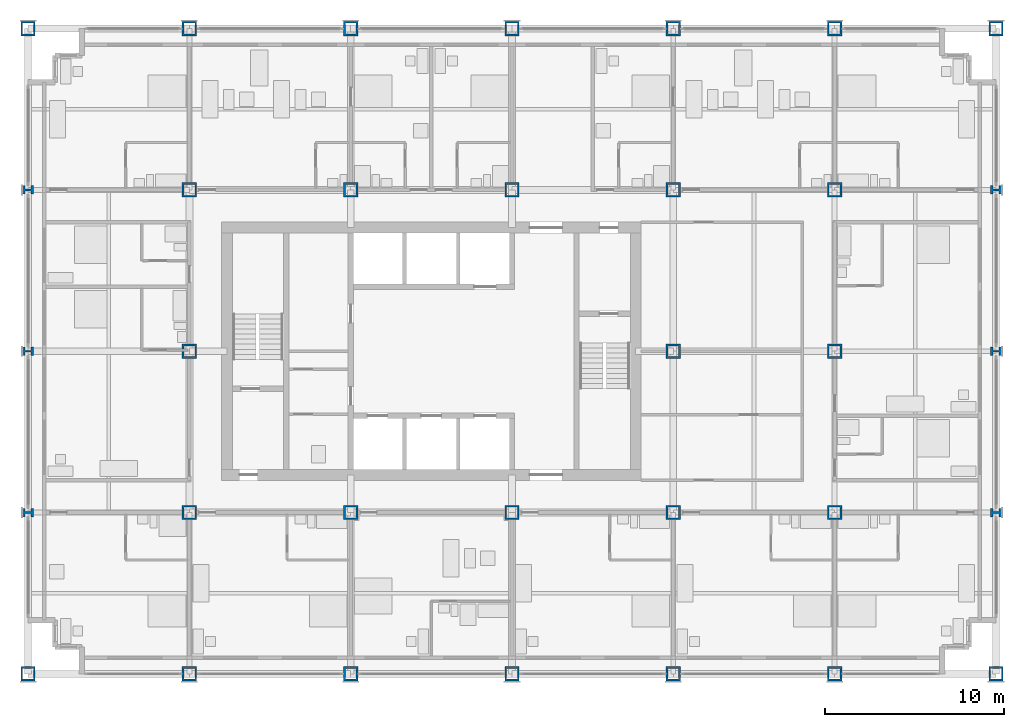
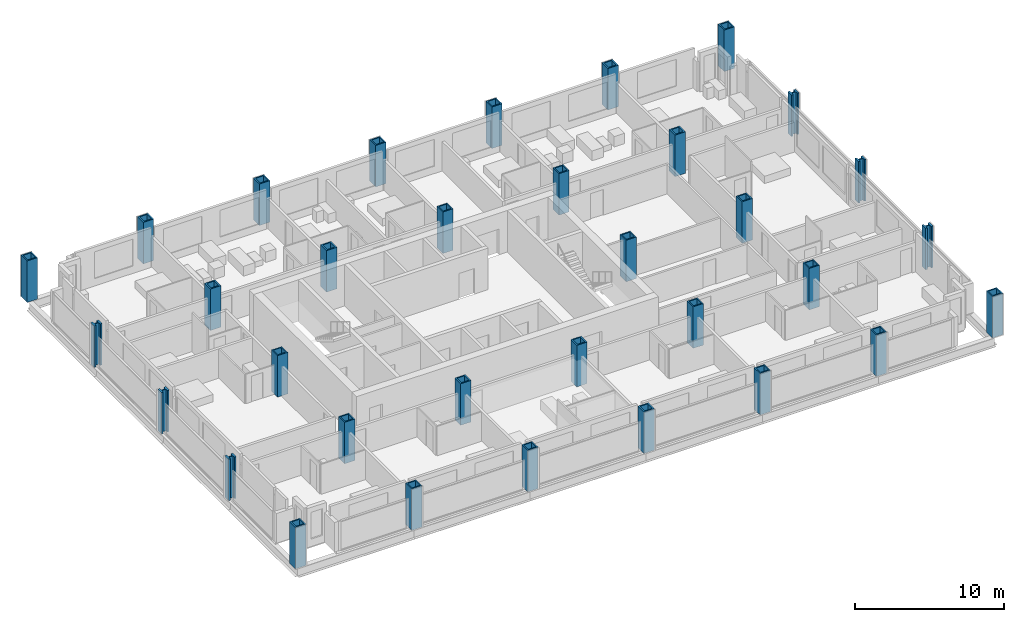
# One storey, part 1 of 18: 33 columns.
"""IFC4 building model written with IfcOpenShell, lengths in metres."""

import ifcopenshell
import ifcopenshell.guid

model = None  # the IFC model being written
_history = None  # IfcOwnerHistory: only IFC2X3 demands one
_inside = {}  # id of a spatial element -> (the spatial element, [elements in it])
_under = {}  # id of a project, library or spatial element -> (it, [spatial elements below it])
_declared = {}  # id of a project -> (the project, [libraries it declares])
_typed = {}  # id of a type object -> (the type object, [elements of that type])
_made_of = {}  # id of a material, layer set ... -> (it, [elements and type objects made of it])


def new_model(schema):
    """Start an empty IFC model of exactly this schema.

    Asked for "IFC4X3", IfcOpenShell would pick the latest addendum, in which some entities
    have other attributes; the version numbers below select the first issue.
    IFC2X3 requires an IfcOwnerHistory on every rooted entity: one is made here for all.
    """
    global model, _history
    if schema == "IFC4X3":
        model = ifcopenshell.file(schema_version=(4, 3, 0, 0))
    else:
        model = ifcopenshell.file(schema=schema)
    _inside.clear()
    _under.clear()
    _declared.clear()
    _typed.clear()
    _made_of.clear()
    _history = None
    if model.schema == "IFC2X3":
        org = make("IfcOrganization", Name="unknown")
        user = make(
            "IfcPersonAndOrganization",
            ThePerson=make("IfcPerson", FamilyName="unknown"),
            TheOrganization=org,
        )
        app = make(
            "IfcApplication",
            ApplicationDeveloper=org,
            Version="unknown",
            ApplicationFullName="unknown",
            ApplicationIdentifier="unknown",
        )
        _history = make(
            "IfcOwnerHistory",
            OwningUser=user,
            OwningApplication=app,
            ChangeAction="ADDED",
            CreationDate=0,
        )
    return model


def make(cls, **values):
    """One entity of the class cls with the attributes given. An attribute that is None is left unset."""
    return model.create_entity(
        cls, **{name: value for name, value in values.items() if value is not None}
    )


def rooted(cls, **values):
    """An entity with a GlobalId (a new one), such as an element, a storey or a relation."""
    return make(cls, GlobalId=ifcopenshell.guid.new(), OwnerHistory=_history, **values)


def si_unit(unit_type, name, prefix=None):
    """IfcSIUnit, for example si_unit("LENGTHUNIT", "METRE", prefix="MILLI")."""
    return make("IfcSIUnit", UnitType=unit_type, Prefix=prefix, Name=name)


def assignment(units):
    """IfcUnitAssignment: the units of a project."""
    return None if units is None else make("IfcUnitAssignment", Units=units)


def point(xyz):
    """IfcCartesianPoint."""
    return None if xyz is None else make("IfcCartesianPoint", Coordinates=xyz)


def direction(xyz):
    """IfcDirection."""
    return None if xyz is None else make("IfcDirection", DirectionRatios=xyz)


def frame(location, z_axis=None, x_axis=None):
    """IfcAxis2Placement3D, a coordinate frame: its origin and axes. An axis left out is left unset."""
    return make(
        "IfcAxis2Placement3D",
        Location=point(location),
        Axis=direction(z_axis),
        RefDirection=direction(x_axis),
    )


def frame_2d(location, x_axis=None):
    """IfcAxis2Placement2D, a coordinate frame in the plane: its origin and x axis."""
    return make(
        "IfcAxis2Placement2D", Location=point(location), RefDirection=direction(x_axis)
    )


def origin():
    """The frame at (0, 0, 0) with its axes left unset."""
    return frame((0.0, 0.0, 0.0))


def origin_2d():
    """The frame at (0, 0) in the plane with its x axis left unset."""
    return frame_2d((0.0, 0.0))


def place(relative_to, where):
    """IfcLocalPlacement: puts the frame where relative to a parent placement (None: the world)."""
    return make(
        "IfcLocalPlacement", PlacementRelTo=relative_to, RelativePlacement=where
    )


def context(
    kind, dimensions, precision=None, world=None, true_north=None, identifier=None
):
    """IfcGeometricRepresentationContext, for example the 3D "Model" context."""
    return make(
        "IfcGeometricRepresentationContext",
        ContextIdentifier=identifier,
        ContextType=kind,
        CoordinateSpaceDimension=dimensions,
        Precision=precision,
        WorldCoordinateSystem=world,
        TrueNorth=true_north,
    )


def subcontext(parent, identifier, kind, view, scale=None):
    """IfcGeometricRepresentationSubContext, for example "Body" below "Model"."""
    return make(
        "IfcGeometricRepresentationSubContext",
        ContextIdentifier=identifier,
        ContextType=kind,
        ParentContext=parent,
        TargetScale=scale,
        TargetView=view,
    )


def project(units=None, contexts=None):
    """IfcProject with its units and contexts."""
    return rooted(
        "IfcProject",
        Name="project",
        RepresentationContexts=contexts,
        UnitsInContext=assignment(units),
    )


def spatial(cls, under=None, at=None, **own):
    """A site, building, storey or space (cls), placed at a placement, below another one or the project."""
    s = rooted(cls, ObjectPlacement=at, **own)
    if under is not None:
        _under.setdefault(under.id(), (under, []))[1].append(s)
    return s


def profile(cls, at=None, kind="AREA", **sizes):
    """A parametric profile (cls). Its sizes go by their IFC names, for example OverallWidth=200.0."""
    return make(cls, ProfileType=kind, Position=at, **sizes)


def hollow_rectangle(**sizes):
    """IfcRectangleHollowProfileDef."""
    return profile("IfcRectangleHollowProfileDef", **sizes)


def i_section(**sizes):
    """IfcIShapeProfileDef."""
    return profile("IfcIShapeProfileDef", **sizes)


def extrude(swept, where, along, depth):
    """IfcExtrudedAreaSolid: the profile swept, set in the frame where, extruded along a direction by depth."""
    return make(
        "IfcExtrudedAreaSolid",
        SweptArea=swept,
        Position=where,
        ExtrudedDirection=direction(along),
        Depth=depth,
    )


def shape(context_of_items, identifier, shape_type, items):
    """IfcShapeRepresentation: the items that make up one representation, for example the "Body"."""
    return make(
        "IfcShapeRepresentation",
        ContextOfItems=context_of_items,
        RepresentationIdentifier=identifier,
        RepresentationType=shape_type,
        Items=items,
    )


def material(Name=None, Category=None):
    """IfcMaterial."""
    return make("IfcMaterial", Name=Name, Category=Category)


def material_profile(
    of_material, cross_section, Name=None, Category=None, Priority=None
):
    """IfcMaterialProfile: a cross section and its material."""
    return make(
        "IfcMaterialProfile",
        Name=Name,
        Material=of_material,
        Profile=cross_section,
        Priority=Priority,
        Category=Category,
    )


def profile_set(profiles, Name=None, composite=None):
    """IfcMaterialProfileSet."""
    return make(
        "IfcMaterialProfileSet",
        Name=Name,
        MaterialProfiles=profiles,
        CompositeProfile=composite,
    )


def made_of(thing, what):
    """Note that an element or type object is made of a material, layer set ...; save() writes the relation."""
    if what is not None:
        _made_of.setdefault(what.id(), (what, []))[1].append(thing)
    return thing


def type_object(cls, material=None, **own):
    """A type object (cls), such as IfcWallType, which elements share."""
    return made_of(rooted(cls, **own), material)


def element(
    cls,
    number,
    at=None,
    inside=None,
    cuts=None,
    type_object=None,
    material=None,
    context=None,
    identifier="Body",
    shape_type=None,
    held_by="IfcProductDefinitionShape",
    body=None,
    shapes=None,
    **own,
):
    """One element of the class cls, such as IfcWall. Its Tag is "e" and its number.

    at: its placement. inside: the storey or other place that contains it. cuts: it is an
    opening in that element (IfcRelVoidsElement). A single representation is given by context,
    identifier, shape_type and body (its items); several are given by shapes. held_by: the class
    of the entity that holds the representations. save() writes the other relations.
    """
    e = rooted(cls, Tag="e%d" % number, ObjectPlacement=at, **own)
    if body is not None:
        shapes = [shape(context, identifier, shape_type, body)]
    if shapes is not None:
        e.Representation = make(held_by, Representations=shapes)
    if inside is not None:
        _inside.setdefault(inside.id(), (inside, []))[1].append(e)
    if cuts is not None:
        rooted(
            "IfcRelVoidsElement", RelatingBuildingElement=cuts, RelatedOpeningElement=e
        )
    if type_object is not None:
        _typed.setdefault(type_object.id(), (type_object, []))[1].append(e)
    return made_of(e, material)


def aggregate(whole, parts):
    """IfcRelAggregates: a whole, such as a stair, and the parts it consists of."""
    return rooted("IfcRelAggregates", RelatingObject=whole, RelatedObjects=parts)


def save(model, path):
    """Write the relations noted so far, then the file.

    IfcRelAggregates (storeys below a building ...), IfcRelContainedInSpatialStructure (elements
    in a storey), IfcRelDefinesByType, IfcRelAssociatesMaterial and IfcRelDeclares: one each for
    every whole, place, type object, material and project.
    """
    for whole, parts in _under.values():
        aggregate(whole, parts)
    for where, things in _inside.values():
        rooted(
            "IfcRelContainedInSpatialStructure",
            RelatedElements=things,
            RelatingStructure=where,
        )
    for kind, things in _typed.values():
        rooted("IfcRelDefinesByType", RelatedObjects=things, RelatingType=kind)
    for what, things in _made_of.values():
        rooted("IfcRelAssociatesMaterial", RelatedObjects=things, RelatingMaterial=what)
    for by, libraries in _declared.values():
        rooted("IfcRelDeclares", RelatingContext=by, RelatedDefinitions=libraries)
    model.write(path)


model = new_model("IFC4")

# Units and contexts
model_context = context("Model", 3, precision=1e-05, world=origin(), true_north=direction((0.0, 1.0)))
body_context = subcontext(model_context, "Body", "Model", "MODEL_VIEW")
ifc_project = project(units=[si_unit("LENGTHUNIT", "METRE"), si_unit("AREAUNIT", "SQUARE_METRE"), si_unit("VOLUMEUNIT", "CUBIC_METRE"), si_unit("PLANEANGLEUNIT", "RADIAN"), si_unit("MASSUNIT", "GRAM", prefix="KILO")], contexts=[model_context])

# Site, building, storey
site_placement = place(None, origin())
site = spatial("IfcSite", under=ifc_project, at=site_placement, CompositionType="ELEMENT")
building_placement = place(site_placement, origin())
building = spatial("IfcBuilding", under=site, at=building_placement, Name="Loomwork Tower", CompositionType="ELEMENT")
storey_placement = place(building_placement, frame((0.0, 0.0, 45.0)))
storey = spatial("IfcBuildingStorey", under=building, at=storey_placement, Name="L10", CompositionType="ELEMENT", Elevation=45.0)

# Columns
ifc_material_1 = material(Name="Steel ASTM A572 Grade 50 plate", Category="steel")
ifc_material_profile_1 = material_profile(ifc_material_1, hollow_rectangle(XDim=0.800048828125, YDim=0.800048828125, WallThickness=0.10009765625, at=origin_2d()), Name="BOX800x100")
ifc_profile_set_1 = profile_set([ifc_material_profile_1], Name="Steel ASTM A572 Grade 50 plate")
column_type_1 = type_object("IfcColumnType", Name="EXOSKELETON PIER BOX800x100", PredefinedType="COLUMN", material=ifc_profile_set_1)
for number, where, z_axis, x_axis, name in (
    (1, (0.0, 0.0, 0.0), (0.0, 0.0, 1.0), (1.0, 0.0, 0.0), "Exoskeleton Pier D/2 L10"),
    (2, (0.0, 36.0, 0.0), (0.0, 0.0, 1.0), (1.0, 0.0, 0.0), "Exoskeleton Pier H/2 L10"),
    (3, (9.0, 0.0, 0.0), (0.0, 0.0, 1.0), (1.0, 0.0, 0.0), "Exoskeleton Pier D/3 L10"),
    (4, (9.0, 36.0, 0.0), (0.0, 0.0, 1.0), (1.0, 0.0, 0.0), "Exoskeleton Pier H/3 L10"),
    (5, (18.0, 0.0, 0.0), (0.0, 0.0, 1.0), (1.0, 0.0, 0.0), "Exoskeleton Pier D/4 L10"),
    (6, (18.0, 36.0, 0.0), (0.0, 0.0, 1.0), (1.0, 0.0, 0.0), "Exoskeleton Pier H/4 L10"),
    (7, (27.0, 0.0, 0.0), (0.0, 0.0, 1.0), (1.0, 0.0, 0.0), "Exoskeleton Pier D/5 L10"),
    (8, (27.0, 36.0, 0.0), (0.0, 0.0, 1.0), (1.0, 0.0, 0.0), "Exoskeleton Pier H/5 L10"),
    (9, (36.0, 0.0, 0.0), (0.0, 0.0, 1.0), (1.0, 0.0, 0.0), "Exoskeleton Pier D/6 L10"),
    (10, (36.0, 36.0, 0.0), (0.0, 0.0, 1.0), (1.0, 0.0, 0.0), "Exoskeleton Pier H/6 L10"),
    (11, (45.0, 0.0, 0.0), (0.0, 0.0, 1.0), (1.0, 0.0, 0.0), "Exoskeleton Pier D/7 L10"),
    (12, (45.0, 36.0, 0.0), (0.0, 0.0, 1.0), (1.0, 0.0, 0.0), "Exoskeleton Pier H/7 L10"),
    (13, (54.0, 0.0, 0.0), (0.0, 0.0, 1.0), (1.0, 0.0, 0.0), "Exoskeleton Pier D/8 L10"),
    (14, (54.0, 36.0, 0.0), (0.0, 0.0, 1.0), (1.0, 0.0, 0.0), "Exoskeleton Pier H/8 L10"),
):
    element("IfcColumn", number, at=place(storey_placement, frame(where, z_axis=z_axis, x_axis=x_axis)), inside=storey, type_object=column_type_1, Name=name, PredefinedType="COLUMN", context=body_context, shape_type="SweptSolid", body=[
        extrude(hollow_rectangle(XDim=0.800048828125, YDim=0.800048828125, WallThickness=0.10009765625, at=origin_2d()), origin(), (0.0, 0.0, 1.0), 3.39990234375),
    ])
ifc_material_2 = material(Name="Steel ASTM A992", Category="steel")
ifc_material_profile_2 = material_profile(ifc_material_2, i_section(OverallWidth=0.4775390625, OverallDepth=0.599365234375, WebThickness=0.10009765625, FlangeThickness=0.139892578125, at=origin_2d()), Name="W14x873")
ifc_profile_set_2 = profile_set([ifc_material_profile_2], Name="Steel ASTM A992")
column_type_2 = type_object("IfcColumnType", Name="EXOSKELETON PIER W14x873", PredefinedType="COLUMN", material=ifc_profile_set_2)
for number, where, z_axis, x_axis, name in (
    (15, (0.0, 9.0, 0.0), (0.0, 0.0, 1.0), (0.0, 1.0, 0.0), "Exoskeleton Pier E/2 L10"),
    (16, (0.0, 18.0, 0.0), (0.0, 0.0, 1.0), (0.0, 1.0, 0.0), "Exoskeleton Pier F/2 L10"),
    (17, (0.0, 27.0, 0.0), (0.0, 0.0, 1.0), (0.0, 1.0, 0.0), "Exoskeleton Pier G/2 L10"),
    (18, (54.0, 9.0, 0.0), (0.0, 0.0, 1.0), (0.0, 1.0, 0.0), "Exoskeleton Pier E/8 L10"),
    (19, (54.0, 18.0, 0.0), (0.0, 0.0, 1.0), (0.0, 1.0, 0.0), "Exoskeleton Pier F/8 L10"),
    (20, (54.0, 27.0, 0.0), (0.0, 0.0, 1.0), (0.0, 1.0, 0.0), "Exoskeleton Pier G/8 L10"),
):
    element("IfcColumn", number, at=place(storey_placement, frame(where, z_axis=z_axis, x_axis=x_axis)), inside=storey, type_object=column_type_2, Name=name, PredefinedType="COLUMN", context=body_context, shape_type="SweptSolid", body=[
        extrude(i_section(OverallWidth=0.4775390625, OverallDepth=0.599365234375, WebThickness=0.10009765625, FlangeThickness=0.139892578125, at=origin_2d()), origin(), (0.0, 0.0, 1.0), 3.39990234375),
    ])
ifc_material_3 = material(Name="Steel ASTM A572 Grade 50 plate", Category="steel")
ifc_material_profile_3 = material_profile(ifc_material_3, hollow_rectangle(XDim=0.800048828125, YDim=0.800048828125, WallThickness=0.10009765625, at=origin_2d()), Name="BOX800x100")
ifc_profile_set_3 = profile_set([ifc_material_profile_3], Name="Steel ASTM A572 Grade 50 plate")
column_type_3 = type_object("IfcColumnType", Name="TOWER COLUMN BOX800x100", PredefinedType="COLUMN", material=ifc_profile_set_3)
for number, where, z_axis, x_axis, name in (
    (21, (9.0, 9.0, 0.0), (0.0, 0.0, 1.0), (1.0, 0.0, 0.0), "Tower Column E/3 L10"),
    (22, (9.0, 18.0, 0.0), (0.0, 0.0, 1.0), (1.0, 0.0, 0.0), "Tower Column F/3 L10"),
    (23, (9.0, 27.0, 0.0), (0.0, 0.0, 1.0), (1.0, 0.0, 0.0), "Tower Column G/3 L10"),
    (24, (18.0, 9.0, 0.0), (0.0, 0.0, 1.0), (1.0, 0.0, 0.0), "Tower Column E/4 L10"),
    (25, (18.0, 27.0, 0.0), (0.0, 0.0, 1.0), (1.0, 0.0, 0.0), "Tower Column G/4 L10"),
    (26, (27.0, 9.0, 0.0), (0.0, 0.0, 1.0), (1.0, 0.0, 0.0), "Tower Column E/5 L10"),
    (27, (27.0, 27.0, 0.0), (0.0, 0.0, 1.0), (1.0, 0.0, 0.0), "Tower Column G/5 L10"),
    (28, (36.0, 9.0, 0.0), (0.0, 0.0, 1.0), (0.0, 1.0, 0.0), "Tower Column E/6 L10"),
    (29, (36.0, 18.0, 0.0), (0.0, 0.0, 1.0), (0.0, 1.0, 0.0), "Tower Column F/6 L10"),
    (30, (36.0, 27.0, 0.0), (0.0, 0.0, 1.0), (1.0, 0.0, 0.0), "Tower Column G/6 L10"),
    (31, (45.0, 9.0, 0.0), (0.0, 0.0, 1.0), (0.0, 1.0, 0.0), "Tower Column E/7 L10"),
    (32, (45.0, 18.0, 0.0), (0.0, 0.0, 1.0), (0.0, 1.0, 0.0), "Tower Column F/7 L10"),
    (33, (45.0, 27.0, 0.0), (0.0, 0.0, 1.0), (0.0, 1.0, 0.0), "Tower Column G/7 L10"),
):
    element("IfcColumn", number, at=place(storey_placement, frame(where, z_axis=z_axis, x_axis=x_axis)), inside=storey, type_object=column_type_3, Name=name, PredefinedType="COLUMN", context=body_context, shape_type="SweptSolid", body=[
        extrude(hollow_rectangle(XDim=0.800048828125, YDim=0.800048828125, WallThickness=0.10009765625, at=origin_2d()), origin(), (0.0, 0.0, 1.0), 3.39990234375),
    ])

save(model, "model.ifc")
